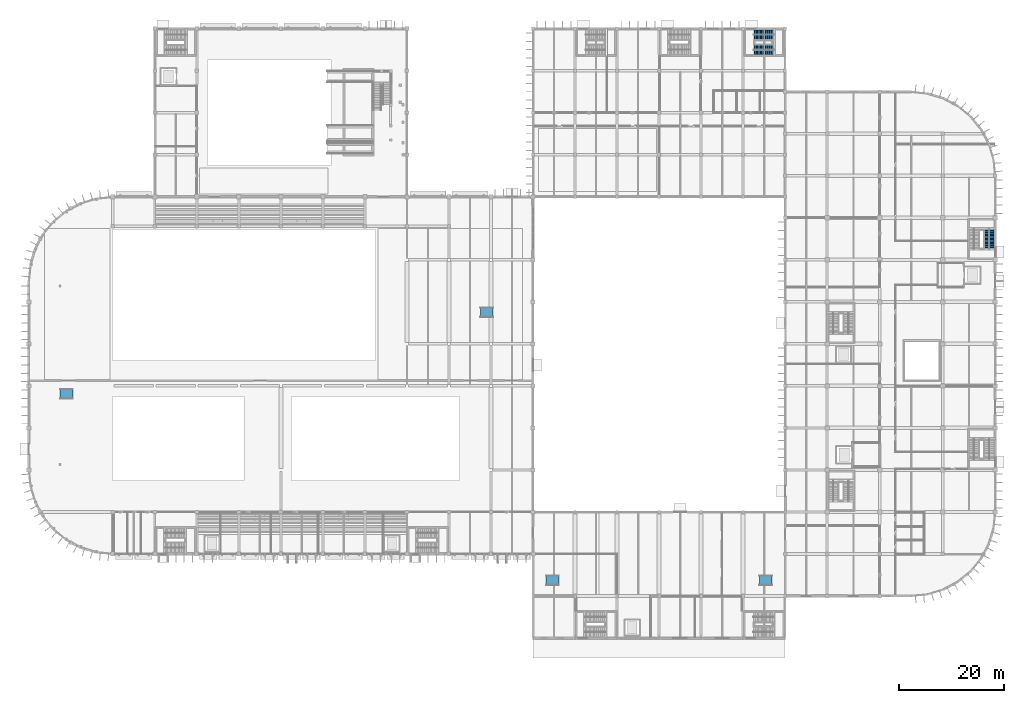
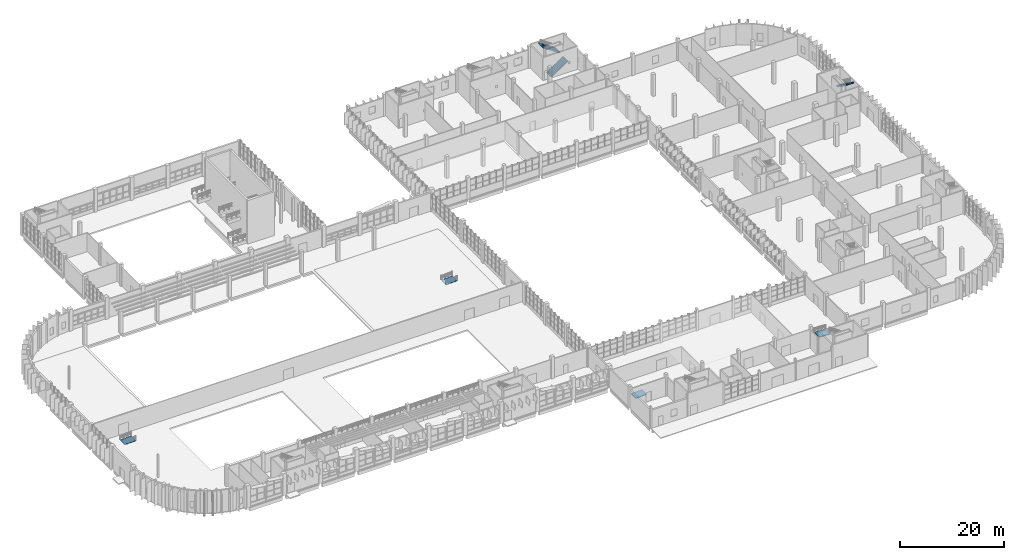
# One storey, part 86 of 103: 4 ramp flights, 3 stair flights, 6 elements without a shape of their own.
"""IFC4 building model written with IfcOpenShell, lengths in metres."""

from ifc_helpers import new_model, si_unit, direction, frame, origin, place, context, subcontext, project, spatial, polyline, outline, extrude, material, layer, layer_set, type_object, element, aggregate, save


model = new_model("IFC4")

# Units and contexts
model_context = context("Model", 3, precision=1e-05, world=origin(), true_north=direction((0.0, 1.0)))
body_context = subcontext(model_context, "Body", "Model", "MODEL_VIEW")
ifc_project = project(units=[si_unit("LENGTHUNIT", "METRE"), si_unit("AREAUNIT", "SQUARE_METRE"), si_unit("VOLUMEUNIT", "CUBIC_METRE"), si_unit("PLANEANGLEUNIT", "RADIAN"), si_unit("MASSUNIT", "GRAM", prefix="KILO")], contexts=[model_context])

# Site, building, storey
site_placement = place(None, origin())
site = spatial("IfcSite", under=ifc_project, at=site_placement, CompositionType="ELEMENT")
building_placement = place(site_placement, origin())
building = spatial("IfcBuilding", under=site, at=building_placement, Name="Drelvana Railside Aquatics Centre", CompositionType="ELEMENT")
storey_placement = place(building_placement, origin())
storey = spatial("IfcBuildingStorey", under=building, at=storey_placement, Name="L00", CompositionType="ELEMENT", Elevation=0.0)

# Stair, stair flight
ifc_material = material(Name="Concrete C40/50", Category="concrete")
stair_type = type_object("IfcStairType", Name="ST-CORE-L00", PredefinedType="HALF_TURN_STAIR", material=ifc_material)
stair_1_placement = place(storey_placement, origin())
stair_1 = element("IfcStair", 1, at=stair_1_placement, inside=storey, type_object=stair_type, Name="Exit stair ST-07 (L00 to L01)", PredefinedType="HALF_TURN_STAIR")
stair_flight_type = type_object("IfcStairFlightType", Name="ST-CORE-L00-FL", PredefinedType="STRAIGHT", material=ifc_material)
stair_flight_1_placement = place(storey_placement, frame((182.85009765625, 77.840087890625, 2.699951171875), z_axis=(0.0, 0.0, 1.0), x_axis=(0.0, -1.0, 0.0)))
stair_flight_1 = element("IfcStairFlight", 2, at=stair_flight_1_placement, type_object=stair_flight_type, Name="ST-L0 flight 2", NumberOfRisers=16, NumberOfTreads=15, PredefinedType="STRAIGHT", RiserHeight=0.16875, TreadLength=0.25, context=body_context, shape_type="SweptSolid", body=[
    extrude(outline(polyline([(0.0, 0.0), (0.0, 0.168701171875), (0.25, 0.168701171875), (0.25, 0.33740234375), (0.5, 0.33740234375), (0.5, 0.50634765625), (0.75, 0.50634765625), (0.75, 0.675048828125), (1.0, 0.675048828125), (1.0, 0.84375), (1.25, 0.84375), (1.25, 1.012451171875), (1.5, 1.012451171875), (1.5, 1.18115234375), (1.75, 1.18115234375), (1.75, 1.35009765625), (2.0, 1.35009765625), (2.0, 1.518798828125), (2.25, 1.518798828125), (2.25, 1.6875), (2.5, 1.6875), (2.5, 1.856201171875), (2.75, 1.856201171875), (2.75, 2.02490234375), (3.0, 2.02490234375), (3.0, 2.19384765625), (3.25, 2.19384765625), (3.25, 2.362548828125), (3.5, 2.362548828125), (3.5, 2.53125), (3.75, 2.53125), (3.75, 2.699951171875), (3.75, 2.2900390625), (0.357421875, 0.0), (0.0, 0.0)])), frame((0.0, 0.89990234375, 0.0), z_axis=(0.0, -1.0, 0.0), x_axis=(1.0, 0.0, 0.0)), (0.0, 0.0, 1.0), 1.800048828125),
])
aggregate(stair_1, [stair_flight_1])

# Stair, stair flights
stair_2_placement = place(storey_placement, origin())
stair_2 = element("IfcStair", 3, at=stair_2_placement, inside=storey, type_object=stair_type, Name="Exit stair ST-12 (L00 to L01)", PredefinedType="HALF_TURN_STAIR")
stair_flight_2_placement = place(storey_placement, frame((138.02001953125, 111.949951171875, 0.0), z_axis=(0.0, 0.0, 1.0), x_axis=(1.0, 0.0, 0.0)))
stair_flight_2 = element("IfcStairFlight", 4, at=stair_flight_2_placement, type_object=stair_flight_type, Name="ST-L0 flight 1", NumberOfRisers=16, NumberOfTreads=15, PredefinedType="STRAIGHT", RiserHeight=0.16875, TreadLength=0.25, context=body_context, shape_type="SweptSolid", body=[
    extrude(outline(polyline([(0.0, 0.0), (0.0, 0.168701171875), (0.25, 0.168701171875), (0.25, 0.33740234375), (0.5, 0.33740234375), (0.5, 0.50634765625), (0.75, 0.50634765625), (0.75, 0.675048828125), (1.0, 0.675048828125), (1.0, 0.84375), (1.25, 0.84375), (1.25, 1.012451171875), (1.5, 1.012451171875), (1.5, 1.18115234375), (1.75, 1.18115234375), (1.75, 1.35009765625), (2.0, 1.35009765625), (2.0, 1.518798828125), (2.25, 1.518798828125), (2.25, 1.6875), (2.5, 1.6875), (2.5, 1.856201171875), (2.75, 1.856201171875), (2.75, 2.02490234375), (3.0, 2.02490234375), (3.0, 2.19384765625), (3.25, 2.19384765625), (3.25, 2.362548828125), (3.5, 2.362548828125), (3.5, 2.53125), (3.75, 2.53125), (3.75, 2.699951171875), (3.75, 2.2900390625), (0.357421875, 0.0), (0.0, 0.0)])), frame((0.0, 0.89990234375, 0.0), z_axis=(0.0, -1.0, 0.0), x_axis=(1.0, 0.0, 0.0)), (0.0, 0.0, 1.0), 1.800048828125),
])
stair_flight_3_placement = place(storey_placement, frame((141.77001953125, 114.85009765625, 2.699951171875), z_axis=(0.0, 0.0, 1.0), x_axis=(-1.0, 0.0, 0.0)))
stair_flight_3 = element("IfcStairFlight", 5, at=stair_flight_3_placement, type_object=stair_flight_type, Name="ST-L0 flight 2", NumberOfRisers=16, NumberOfTreads=15, PredefinedType="STRAIGHT", RiserHeight=0.16875, TreadLength=0.25, context=body_context, shape_type="SweptSolid", body=[
    extrude(outline(polyline([(0.0, 0.0), (0.0, 0.168701171875), (0.25, 0.168701171875), (0.25, 0.33740234375), (0.5, 0.33740234375), (0.5, 0.50634765625), (0.75, 0.50634765625), (0.75, 0.675048828125), (1.0, 0.675048828125), (1.0, 0.84375), (1.25, 0.84375), (1.25, 1.012451171875), (1.5, 1.012451171875), (1.5, 1.18115234375), (1.75, 1.18115234375), (1.75, 1.35009765625), (2.0, 1.35009765625), (2.0, 1.518798828125), (2.25, 1.518798828125), (2.25, 1.6875), (2.5, 1.6875), (2.5, 1.856201171875), (2.75, 1.856201171875), (2.75, 2.02490234375), (3.0, 2.02490234375), (3.0, 2.19384765625), (3.25, 2.19384765625), (3.25, 2.362548828125), (3.5, 2.362548828125), (3.5, 2.53125), (3.75, 2.53125), (3.75, 2.699951171875), (3.75, 2.2900390625), (0.357421875, 0.0), (0.0, 0.0)])), frame((0.0, 0.89990234375, 0.0), z_axis=(0.0, -1.0, 0.0), x_axis=(1.0, 0.0, 0.0)), (0.0, 0.0, 1.0), 1.800048828125),
])
aggregate(stair_2, [stair_flight_2, stair_flight_3])

# Ramp, ramp flight
ifc_layer_1 = layer(ifc_material, 0.199951171875, Name="Concrete C40/50")
ifc_layer_set_1 = layer_set([ifc_layer_1], Name="Concrete C40/50")
ramp_type = type_object("IfcRampType", Name="RMP-ACC-1800", PredefinedType="STRAIGHT_RUN_RAMP", material=ifc_layer_set_1)
ramp_1_placement = place(storey_placement, origin())
ramp_1 = element("IfcRamp", 6, at=ramp_1_placement, inside=storey, type_object=ramp_type, Name="Accessible step-free ramp RMP-ARR-W", PredefinedType="STRAIGHT_RUN_RAMP")
ifc_layer_2 = layer(ifc_material, 0.199951171875, Name="Concrete C40/50")
ifc_layer_set_2 = layer_set([ifc_layer_2], Name="Concrete C40/50")
ramp_flight_type = type_object("IfcRampFlightType", Name="RMP-ACC-1800-FL", PredefinedType="STRAIGHT", material=ifc_layer_set_2)
ramp_flight_1_placement = place(storey_placement, frame((98.5, 10.10009765625, 0.0), z_axis=(-0.049988291303, 0.0, 0.998749803871), x_axis=(0.998749803871, 0.0, 0.049988291303)))
ramp_flight_1 = element("IfcRampFlight", 7, at=ramp_flight_1_placement, type_object=ramp_flight_type, Name="RM-01 flight 1", PredefinedType="STRAIGHT", context=body_context, shape_type="SweptSolid", body=[
    extrude(outline(polyline([(0.0, 0.0), (2.4029064480894076, 0.0), (2.4029064480894076, 1.7998046875), (0.0, 1.7998046875), (0.0, 0.0)])), origin(), (0.0, 0.0, -1.0), 0.179931640625),
])
aggregate(ramp_1, [ramp_flight_1])

ramp_2_placement = place(storey_placement, origin())
ramp_2 = element("IfcRamp", 8, at=ramp_2_placement, inside=storey, type_object=ramp_type, Name="Accessible step-free ramp RMP-ARR-E", PredefinedType="STRAIGHT_RUN_RAMP")
ramp_flight_2_placement = place(storey_placement, frame((141.5, 11.89990234375, 0.0), z_axis=(0.049988291303, 0.0, 0.998749803871), x_axis=(-0.998749803871, 0.0, 0.049988291303)))
ramp_flight_2 = element("IfcRampFlight", 9, at=ramp_flight_2_placement, type_object=ramp_flight_type, Name="RM-01 flight 1", PredefinedType="STRAIGHT", context=body_context, shape_type="SweptSolid", body=[
    extrude(outline(polyline([(0.0, 0.0), (2.4029064480894076, 0.0), (2.4029064480894076, 1.7998046875), (0.0, 1.7998046875), (0.0, 0.0)])), origin(), (0.0, 0.0, -1.0), 0.179931640625),
])
aggregate(ramp_2, [ramp_flight_2])

ramp_3_placement = place(storey_placement, origin())
ramp_3 = element("IfcRamp", 10, at=ramp_3_placement, inside=storey, type_object=ramp_type, Name="Accessible step-free ramp RMP-WC-POOL-W", PredefinedType="STRAIGHT_RUN_RAMP")
ramp_flight_3_placement = place(storey_placement, frame((6.0, 45.60009765625, 0.0), z_axis=(-0.049988291303, 0.0, 0.998749803871), x_axis=(0.998749803871, 0.0, 0.049988291303)))
ramp_flight_3 = element("IfcRampFlight", 11, at=ramp_flight_3_placement, type_object=ramp_flight_type, Name="RM-01 flight 1", PredefinedType="STRAIGHT", context=body_context, shape_type="SweptSolid", body=[
    extrude(outline(polyline([(0.0, 0.0), (2.4029064480894076, 0.0), (2.4029064480894076, 1.7998046875), (0.0, 1.7998046875), (0.0, 0.0)])), origin(), (0.0, 0.0, -1.0), 0.179931640625),
])
aggregate(ramp_3, [ramp_flight_3])

ramp_4_placement = place(storey_placement, origin())
ramp_4 = element("IfcRamp", 12, at=ramp_4_placement, inside=storey, type_object=ramp_type, Name="Accessible step-free ramp RMP-WC-POOL-E", PredefinedType="STRAIGHT_RUN_RAMP")
ramp_flight_4_placement = place(storey_placement, frame((86.0, 61.10009765625, 0.0), z_axis=(-0.049988291303, 0.0, 0.998749803871), x_axis=(0.998749803871, 0.0, 0.049988291303)))
ramp_flight_4 = element("IfcRampFlight", 13, at=ramp_flight_4_placement, type_object=ramp_flight_type, Name="RM-01 flight 1", PredefinedType="STRAIGHT", context=body_context, shape_type="SweptSolid", body=[
    extrude(outline(polyline([(0.0, 0.0), (2.4029064480894076, 0.0), (2.4029064480894076, 1.7998046875), (0.0, 1.7998046875), (0.0, 0.0)])), origin(), (0.0, 0.0, -1.0), 0.179931640625),
])
aggregate(ramp_4, [ramp_flight_4])

save(model, "model.ifc")
